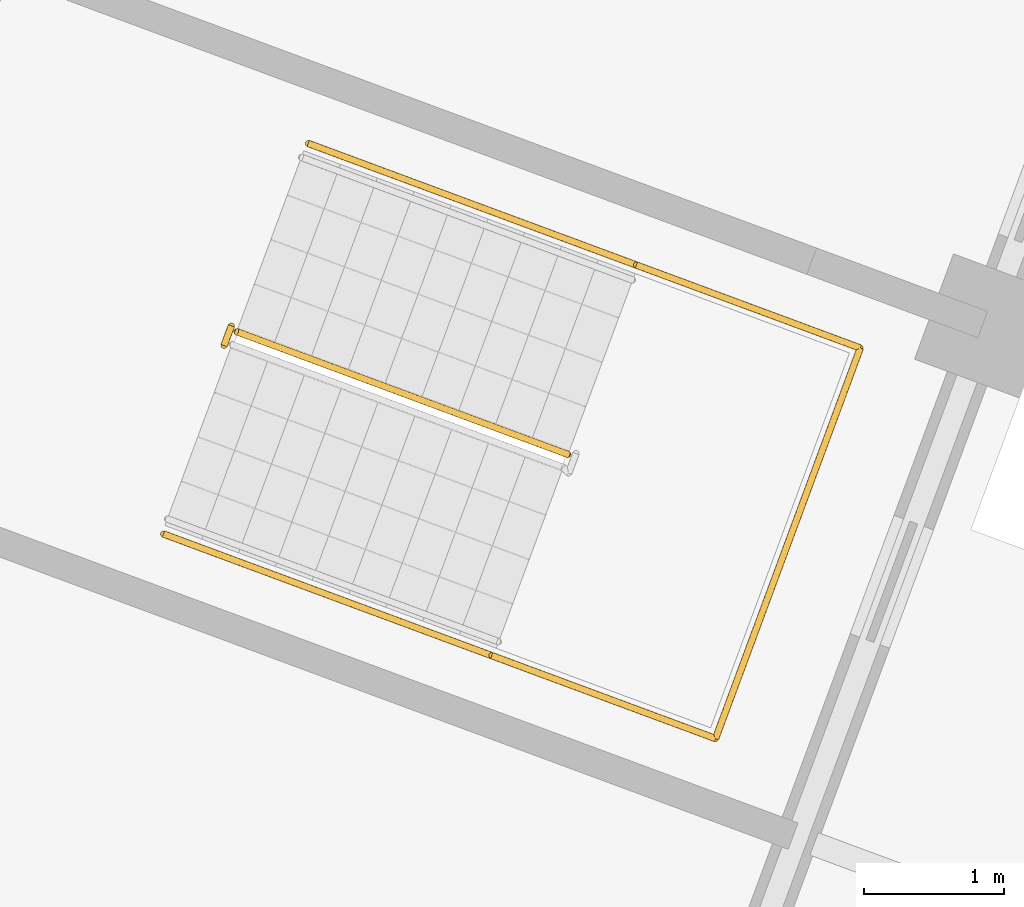
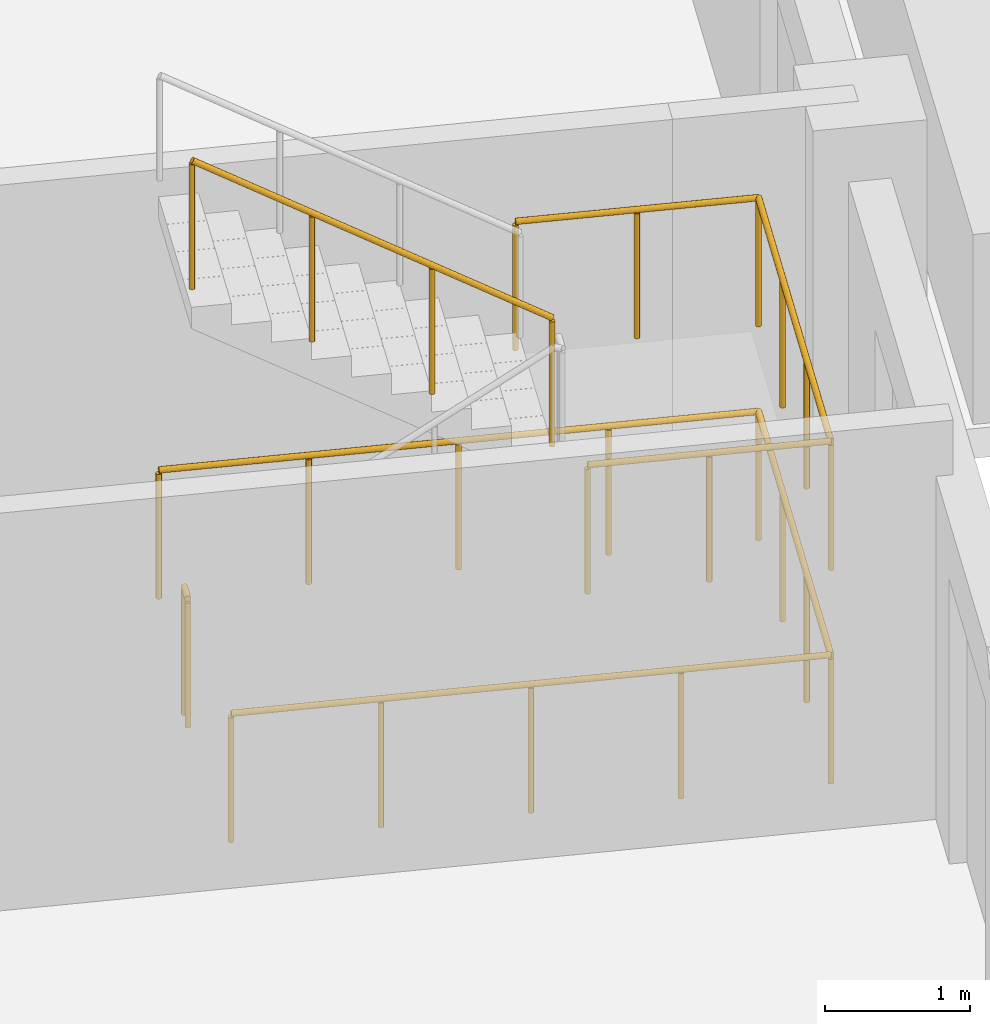
# One storey, part 14 of 18: 4 railings.
"""IFC4 building model written with IfcOpenShell, lengths in metres."""

from ifc_helpers import new_model, si_unit, direction, frame, origin, origin_2d, place, context, subcontext, project, spatial, circle, extrude, material, type_object, element, save


model = new_model("IFC4")

# Units and contexts
model_context = context("Model", 3, precision=1e-05, world=origin(), true_north=direction((0.0, 1.0)))
body_context = subcontext(model_context, "Body", "Model", "MODEL_VIEW")
ifc_project = project(units=[si_unit("LENGTHUNIT", "METRE"), si_unit("AREAUNIT", "SQUARE_METRE"), si_unit("VOLUMEUNIT", "CUBIC_METRE"), si_unit("PLANEANGLEUNIT", "RADIAN"), si_unit("MASSUNIT", "GRAM", prefix="KILO")], contexts=[model_context])

# Site, building, storey
site_placement = place(None, origin())
site = spatial("IfcSite", under=ifc_project, at=site_placement, CompositionType="ELEMENT")
building_placement = place(site_placement, origin())
building = spatial("IfcBuilding", under=site, at=building_placement, Name="Cantera Rosa Tower", CompositionType="ELEMENT")
storey_placement = place(building_placement, frame((0.0, 0.0, 338.5)))
storey = spatial("IfcBuildingStorey", under=building, at=storey_placement, Name="L76", CompositionType="ELEMENT", Elevation=338.5)

# Railings
ifc_material = material(Name="Steel S355J2 (EN 10025-2)", Category="steel")
railing_type = type_object("IfcRailingType", Name="STAIR GUARD 1100", PredefinedType="GUARDRAIL", material=ifc_material)
railing_1_placement = place(storey_placement, frame((20.19970703125, 2.93798828125, 1.97998046875)))
element("IfcRailing", 1, at=railing_1_placement, inside=storey, type_object=railing_type, Name="L76 ST-61 stair guard 2", PredefinedType="GUARDRAIL", context=body_context, shape_type="SweptSolid", body=[
    extrude(circle(Radius=0.02392578125, at=origin_2d()), frame((0.0, 0.0, 1.076171875), z_axis=(-0.788747577403, 0.292306804437, 0.540771662738), x_axis=(-0.347500508527, -0.937679794265, 0.0)), (0.0, 0.0, 1.0), 2.995849609375),
    extrude(circle(Radius=0.02099609375, at=origin_2d()), origin(), (0.0, 0.0, 1.0), 1.052001953125),
    extrude(circle(Radius=0.02099609375, at=origin_2d()), frame((-0.78759765625, 0.2919921875, 0.5400390625)), (0.0, 0.0, 1.0), 1.052001953125),
    extrude(circle(Radius=0.02099609375, at=origin_2d()), frame((-1.575439453125, 0.583740234375, 1.080078125)), (0.0, 0.0, 1.0), 1.052001953125),
    extrude(circle(Radius=0.02099609375, at=origin_2d()), frame((-2.363037109375, 0.875732421875, 1.6201171875)), (0.0, 0.0, 1.0), 1.052001953125),
])
railing_2_placement = place(storey_placement, frame((17.74658203125, 3.71484375, 0.0)))
element("IfcRailing", 2, at=railing_2_placement, inside=storey, type_object=railing_type, Name="L76 ST-61 stair guard 3", PredefinedType="GUARDRAIL", context=body_context, shape_type="SweptSolid", body=[
    extrude(circle(Radius=0.02392578125, at=origin_2d()), frame((0.0, 0.0, 1.076171875), z_axis=(0.348268249601, 0.937394914814, 0.0), x_axis=(-0.937394914814, 0.348268249601, 0.0)), (0.0, 0.0, 1.0), 0.14990234375),
    extrude(circle(Radius=0.02099609375, at=origin_2d()), origin(), (0.0, 0.0, 1.0), 1.052001953125),
    extrude(circle(Radius=0.02099609375, at=origin_2d()), frame((0.05224609375, 0.140625, 0.0)), (0.0, 0.0, 1.0), 1.052001953125),
])
railing_3_placement = place(storey_placement, frame((17.31494140625, 2.37109375, 0.0)))
element("IfcRailing", 3, at=railing_3_placement, inside=storey, type_object=railing_type, Name="L76 ST-61 stair guard 4", PredefinedType="GUARDRAIL", context=body_context, shape_type="SweptSolid", body=[
    extrude(circle(Radius=0.02392578125, at=origin_2d()), frame((0.0, 0.0, 1.076171875), z_axis=(0.937682096729, -0.3474942956, 0.0), x_axis=(0.3474942956, 0.937682096729, 0.0)), (0.0, 0.0, 1.0), 4.197998046875),
    extrude(circle(Radius=0.02392578125, at=origin_2d()), frame((3.936279296875, -1.458740234375, 1.076171875), z_axis=(0.347472311651, 0.937690243436, 0.0), x_axis=(-0.937690243436, 0.347472311651, 0.0)), (0.0, 0.0, 1.0), 2.969970703125),
    extrude(circle(Radius=0.02392578125, at=origin_2d()), frame((4.96826171875, 1.326171875, 1.076171875), z_axis=(-0.937682096729, 0.3474942956, 0.0), x_axis=(-0.3474942956, -0.937682096729, 0.0)), (0.0, 0.0, 1.0), 4.197998046875),
    extrude(circle(Radius=0.02099609375, at=origin_2d()), origin(), (0.0, 0.0, 1.0), 1.052001953125),
    extrude(circle(Radius=0.02099609375, at=origin_2d()), frame((0.984130859375, -0.36474609375, 0.0)), (0.0, 0.0, 1.0), 1.052001953125),
    extrude(circle(Radius=0.02099609375, at=origin_2d()), frame((1.96826171875, -0.7294921875, 0.0)), (0.0, 0.0, 1.0), 1.052001953125),
    extrude(circle(Radius=0.02099609375, at=origin_2d()), frame((2.9521484375, -1.093994140625, 0.0)), (0.0, 0.0, 1.0), 1.052001953125),
    extrude(circle(Radius=0.02099609375, at=origin_2d()), frame((3.936279296875, -1.458740234375, 0.0)), (0.0, 0.0, 1.0), 1.052001953125),
    extrude(circle(Radius=0.02099609375, at=origin_2d()), frame((4.2802734375, -0.530517578125, 0.0)), (0.0, 0.0, 1.0), 1.052001953125),
    extrude(circle(Radius=0.02099609375, at=origin_2d()), frame((4.624267578125, 0.39794921875, 0.0)), (0.0, 0.0, 1.0), 1.052001953125),
    extrude(circle(Radius=0.02099609375, at=origin_2d()), frame((4.96826171875, 1.326171875, 0.0)), (0.0, 0.0, 1.0), 1.052001953125),
    extrude(circle(Radius=0.02099609375, at=origin_2d()), frame((3.984130859375, 1.69091796875, 0.0)), (0.0, 0.0, 1.0), 1.052001953125),
    extrude(circle(Radius=0.02099609375, at=origin_2d()), frame((3.0, 2.0556640625, 0.0)), (0.0, 0.0, 1.0), 1.052001953125),
    extrude(circle(Radius=0.02099609375, at=origin_2d()), frame((2.01611328125, 2.420166015625, 0.0)), (0.0, 0.0, 1.0), 1.052001953125),
    extrude(circle(Radius=0.02099609375, at=origin_2d()), frame((1.031982421875, 2.784912109375, 0.0)), (0.0, 0.0, 1.0), 1.052001953125),
])
railing_4_placement = place(storey_placement, frame((19.6552734375, 1.50390625, 1.800048828125)))
element("IfcRailing", 4, at=railing_4_placement, inside=storey, type_object=railing_type, Name="L76 ST-61 stair guard 5", PredefinedType="GUARDRAIL", context=body_context, shape_type="SweptSolid", body=[
    extrude(circle(Radius=0.02392578125, at=origin_2d()), frame((0.0, 0.0, 1.076171875), z_axis=(0.937660486946, -0.347552602091, 0.0), x_axis=(0.347552602091, 0.937660486946, 0.0)), (0.0, 0.0, 1.0), 1.7021484375),
    extrude(circle(Radius=0.02392578125, at=origin_2d()), frame((1.595947265625, -0.591552734375, 1.076171875), z_axis=(0.347472311651, 0.937690243436, 0.0), x_axis=(-0.937690243436, 0.347472311651, 0.0)), (0.0, 0.0, 1.0), 2.969970703125),
    extrude(circle(Radius=0.02392578125, at=origin_2d()), frame((2.6279296875, 2.193359375, 1.076171875), z_axis=(-0.937660486946, 0.347552602091, 0.0), x_axis=(-0.347552602091, -0.937660486946, 0.0)), (0.0, 0.0, 1.0), 1.7021484375),
    extrude(circle(Radius=0.02099609375, at=origin_2d()), origin(), (0.0, 0.0, 1.0), 1.052001953125),
    extrude(circle(Radius=0.02099609375, at=origin_2d()), frame((0.7978515625, -0.2958984375, 0.0)), (0.0, 0.0, 1.0), 1.052001953125),
    extrude(circle(Radius=0.02099609375, at=origin_2d()), frame((1.595947265625, -0.591552734375, 0.0)), (0.0, 0.0, 1.0), 1.052001953125),
    extrude(circle(Radius=0.02099609375, at=origin_2d()), frame((1.93994140625, 0.336669921875, 0.0)), (0.0, 0.0, 1.0), 1.052001953125),
    extrude(circle(Radius=0.02099609375, at=origin_2d()), frame((2.283935546875, 1.26513671875, 0.0)), (0.0, 0.0, 1.0), 1.052001953125),
    extrude(circle(Radius=0.02099609375, at=origin_2d()), frame((2.6279296875, 2.193359375, 0.0)), (0.0, 0.0, 1.0), 1.052001953125),
    extrude(circle(Radius=0.02099609375, at=origin_2d()), frame((1.830078125, 2.4892578125, 0.0)), (0.0, 0.0, 1.0), 1.052001953125),
    extrude(circle(Radius=0.02099609375, at=origin_2d()), frame((1.031982421875, 2.784912109375, 0.0)), (0.0, 0.0, 1.0), 1.052001953125),
])

save(model, "model.ifc")
